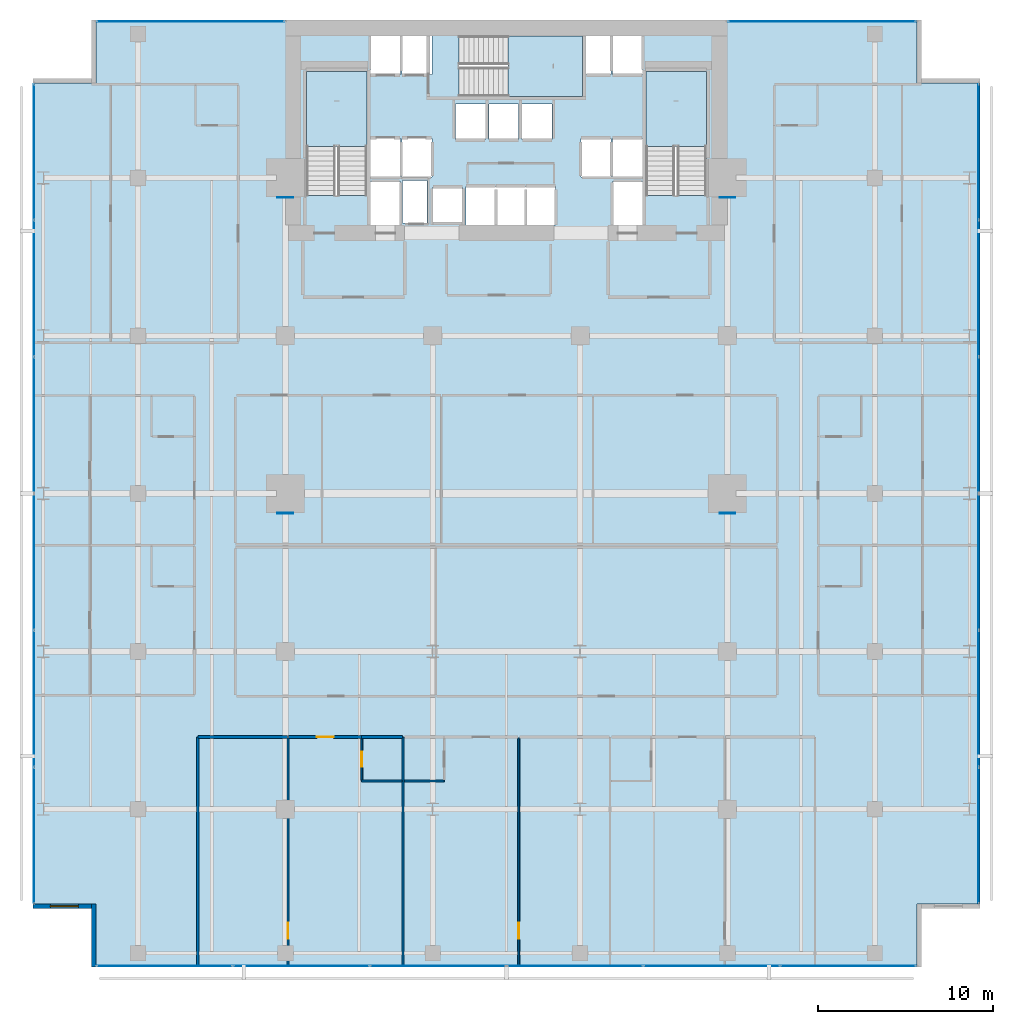
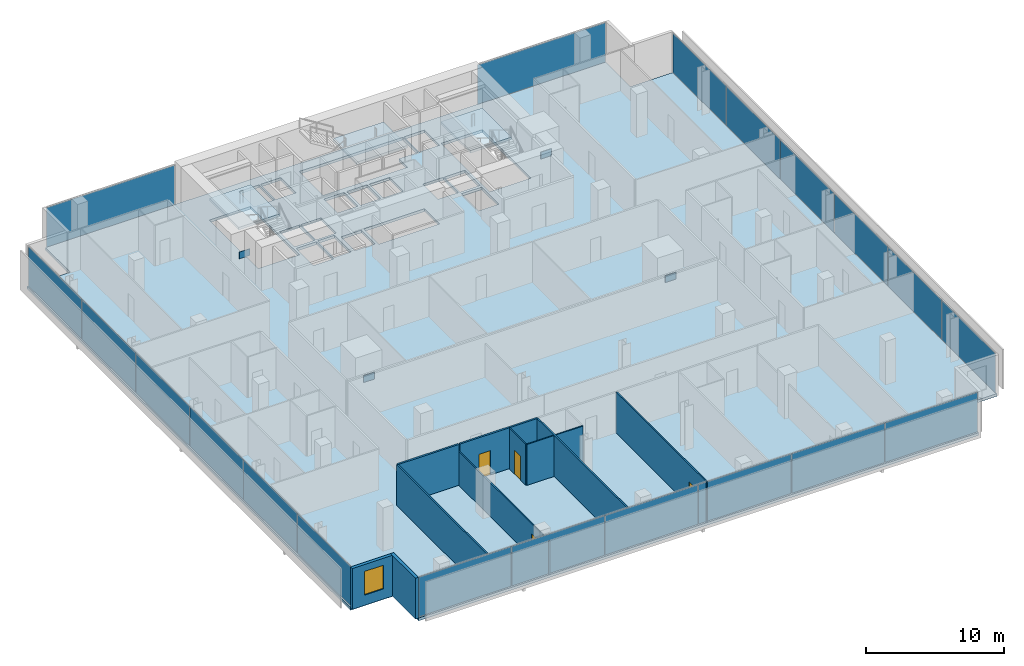
# One storey, part 32 of 39: 24 plates, 12 walls, 4 doors, 4 slabs, 1 window, 5 openings, 8 elements without a shape of their own.
"""IFC4 building model written with IfcOpenShell, lengths in metres."""

from ifc_helpers import new_model, si_unit, direction, frame, frame_2d, origin, origin_2d, place, context, subcontext, project, spatial, polyline, rectangle, outline, extrude, material, layer, layer_set, type_object, element, fill, aggregate, save


model = new_model("IFC4")

# Units and contexts
model_context = context("Model", 3, precision=1e-05, world=origin(), true_north=direction((0.0, 1.0)))
body_context = subcontext(model_context, "Body", "Model", "MODEL_VIEW")
ifc_project = project(units=[si_unit("LENGTHUNIT", "METRE"), si_unit("AREAUNIT", "SQUARE_METRE"), si_unit("VOLUMEUNIT", "CUBIC_METRE"), si_unit("PLANEANGLEUNIT", "RADIAN"), si_unit("MASSUNIT", "GRAM", prefix="KILO")], contexts=[model_context])

# Site, building, storey
site_placement = place(None, origin())
site = spatial("IfcSite", under=ifc_project, at=site_placement, CompositionType="ELEMENT")
building_placement = place(site_placement, origin())
building = spatial("IfcBuilding", under=site, at=building_placement, Name="Maruvema Waterfront Hotel and Observation Tower", CompositionType="ELEMENT")
storey_placement = place(building_placement, frame((0.0, 0.0, 65.449951171875)))
storey = spatial("IfcBuildingStorey", under=building, at=storey_placement, Name="L15", CompositionType="ELEMENT", Elevation=65.449951171875)

# Slab
ifc_material_1 = material(Name="Concrete C50/60", Category="concrete")
ifc_layer_1 = layer(ifc_material_1, 0.239990234375, Name="Reinforced Concrete Floor Slab 240 mm")
ifc_layer_set_1 = layer_set([ifc_layer_1], Name="Concrete C50/60")
slab_type_1 = type_object("IfcSlabType", Name="Reinforced Concrete Floor Slab 240 mm", PredefinedType="FLOOR", material=ifc_layer_set_1)
slab_1_placement = place(storey_placement, frame((0.0, 0.0, -0.239990234375)))
element("IfcSlab", 1, at=slab_1_placement, inside=storey, type_object=slab_type_1, Name="L15 Structural Floor Slab", PredefinedType="FLOOR", context=body_context, shape_type="SweptSolid", body=[
    extrude(outline(polyline([(14.39990234375, 0.0), (61.199951171875, 0.0), (61.199951171875, 3.60009765625), (64.800048828125, 3.60009765625), (64.800048828125, 50.39990234375), (61.199951171875, 50.39990234375), (61.199951171875, 54.0), (14.39990234375, 54.0), (14.39990234375, 50.39990234375), (10.800048828125, 50.39990234375), (10.800048828125, 3.60009765625), (14.39990234375, 3.60009765625), (14.39990234375, 0.0)]), holes=[polyline([(26.39990234375, 44.00048828125), (26.39990234375, 51.050048828125), (29.85009765625, 51.050048828125), (29.85009765625, 44.00048828125), (26.39990234375, 44.00048828125)]), polyline([(30.050048828125, 44.800048828125), (31.75, 44.800048828125), (31.75, 42.320068359375), (30.050048828125, 42.320068359375), (30.050048828125, 44.800048828125)]), polyline([(31.75, 47.25), (31.75, 45.050048828125), (30.050048828125, 45.050048828125), (30.050048828125, 47.25), (31.75, 47.25)]), polyline([(31.75, 53.10009765625), (31.75, 50.89990234375), (30.050048828125, 50.89990234375), (30.050048828125, 53.10009765625), (31.75, 53.10009765625)]), polyline([(33.280029296875, 44.860107421875), (33.280029296875, 42.43994140625), (31.8798828125, 42.43994140625), (31.8798828125, 44.860107421875), (33.280029296875, 44.860107421875)]), polyline([(31.85009765625, 47.25), (33.550048828125, 47.25), (33.550048828125, 45.050048828125), (31.85009765625, 45.050048828125), (31.85009765625, 47.25)]), polyline([(31.85009765625, 53.10009765625), (33.550048828125, 53.10009765625), (33.550048828125, 50.89990234375), (31.85009765625, 50.89990234375), (31.85009765625, 53.10009765625)]), polyline([(33.60009765625, 44.449951171875), (35.300048828125, 44.449951171875), (35.300048828125, 42.449951171875), (33.60009765625, 42.449951171875), (33.60009765625, 44.449951171875)]), polyline([(34.89990234375, 49.199951171875), (36.60009765625, 49.199951171875), (36.60009765625, 47.199951171875), (34.89990234375, 47.199951171875), (34.89990234375, 49.199951171875)]), polyline([(38.5, 49.199951171875), (38.5, 47.199951171875), (36.800048828125, 47.199951171875), (36.800048828125, 49.199951171875), (38.5, 49.199951171875)]), polyline([(35.5, 44.5), (40.60009765625, 44.5), (40.60009765625, 42.300048828125), (35.5, 42.300048828125), (35.5, 44.5)]), polyline([(43.75, 50.89990234375), (42.14990234375, 50.89990234375), (42.14990234375, 49.64990234375), (35.1005859375, 49.64990234375), (35.1005859375, 53.10009765625), (43.75, 53.10009765625), (43.75, 50.89990234375)]), polyline([(40.39990234375, 49.199951171875), (40.39990234375, 47.199951171875), (38.699951171875, 47.199951171875), (38.699951171875, 49.199951171875), (40.39990234375, 49.199951171875)]), polyline([(43.75, 47.25), (43.75, 45.050048828125), (42.050048828125, 45.050048828125), (42.050048828125, 47.25), (43.75, 47.25)]), polyline([(45.550048828125, 44.800048828125), (45.550048828125, 42.320068359375), (43.85009765625, 42.320068359375), (43.85009765625, 44.800048828125), (45.550048828125, 44.800048828125)]), polyline([(43.85009765625, 47.25), (45.550048828125, 47.25), (45.550048828125, 45.050048828125), (43.85009765625, 45.050048828125), (43.85009765625, 47.25)]), polyline([(45.550048828125, 53.10009765625), (45.550048828125, 50.89990234375), (43.85009765625, 50.89990234375), (43.85009765625, 53.10009765625), (45.550048828125, 53.10009765625)]), polyline([(45.75, 51.050048828125), (49.199951171875, 51.050048828125), (49.199951171875, 44.00048828125), (45.75, 44.00048828125), (45.75, 51.050048828125)])]), origin(), (0.0, 0.0, 1.0), 0.239990234375),
])

# Curtain wall, plates
ifc_material_2 = material(Name="Anodised bronze aluminium and solar-control low-E IGU", Category="aluminium")
ifc_layer_2 = layer(ifc_material_2, 0.159912109375, Name="Zone 1 Bronze Inner Thermal Curtain Wall System CW-02")
ifc_layer_set_2 = layer_set([ifc_layer_2], Name="Anodised bronze aluminium and solar-control low-E IGU")
curtain_wall_type = type_object("IfcCurtainWallType", Name="Zone 1 Bronze Inner Thermal Curtain Wall System CW-02", PredefinedType="USERDEFINED", material=ifc_layer_set_2)
curtain_wall_1_placement = place(storey_placement, origin())
curtain_wall_1 = element("IfcCurtainWall", 2, at=curtain_wall_1_placement, inside=storey, type_object=curtain_wall_type, Name="L15 Curtain Wall CW-L15-S", ObjectType="UNITISED CURTAIN WALL", PredefinedType="USERDEFINED")
ifc_material_3 = material(Name="Laminated low-E solar-control double glazing", Category="glass")
ifc_layer_3 = layer(ifc_material_3, 0.035888671875, Name="Solar Control Double-Glazed Curtain Panel 36 mm")
ifc_layer_set_3 = layer_set([ifc_layer_3], Name="Laminated low-E solar-control double glazing")
plate_type_1 = type_object("IfcPlateType", Name="Solar Control Double-Glazed Curtain Panel 36 mm", PredefinedType="CURTAIN_PANEL", material=ifc_layer_set_3)
plate_1_placement = place(storey_placement, frame((18.31494140625, 0.080078125, 0.06005859375), z_axis=(0.0, 0.0, 1.0), x_axis=(1.0, 0.0, 0.0)))
plate_1 = element("IfcPlate", 3, at=plate_1_placement, type_object=plate_type_1, Name="CW-02 panel 1.1", PredefinedType="CURTAIN_PANEL", context=body_context, shape_type="SweptSolid", body=[
    extrude(rectangle(XDim=7.7099609375, YDim=0.028076171875, at=origin_2d()), origin(), (0.0, 0.0, 1.0), 3.489990234375),
])
plate_2_placement = place(storey_placement, frame((26.10009765625, 0.080078125, 0.06005859375), z_axis=(0.0, 0.0, 1.0), x_axis=(1.0, 0.0, 0.0)))
plate_2 = element("IfcPlate", 4, at=plate_2_placement, type_object=plate_type_1, Name="CW-02 panel 2.1", PredefinedType="CURTAIN_PANEL", context=body_context, shape_type="SweptSolid", body=[
    extrude(rectangle(XDim=7.739990234375, YDim=0.028076171875, at=origin_2d()), origin(), (0.0, 0.0, 1.0), 3.489990234375),
])
plate_3_placement = place(storey_placement, frame((33.89990234375, 0.080078125, 0.06005859375), z_axis=(0.0, 0.0, 1.0), x_axis=(1.0, 0.0, 0.0)))
plate_3 = element("IfcPlate", 5, at=plate_3_placement, type_object=plate_type_1, Name="CW-02 panel 3.1", PredefinedType="CURTAIN_PANEL", context=body_context, shape_type="SweptSolid", body=[
    extrude(rectangle(XDim=7.739990234375, YDim=0.028076171875, at=origin_2d()), origin(), (0.0, 0.0, 1.0), 3.489990234375),
])
plate_4_placement = place(storey_placement, frame((41.699951171875, 0.080078125, 0.06005859375), z_axis=(0.0, 0.0, 1.0), x_axis=(1.0, 0.0, 0.0)))
plate_4 = element("IfcPlate", 6, at=plate_4_placement, type_object=plate_type_1, Name="CW-02 panel 4.1", PredefinedType="CURTAIN_PANEL", context=body_context, shape_type="SweptSolid", body=[
    extrude(rectangle(XDim=7.739990234375, YDim=0.028076171875, at=origin_2d()), origin(), (0.0, 0.0, 1.0), 3.489990234375),
])
plate_5_placement = place(storey_placement, frame((49.5, 0.080078125, 0.06005859375), z_axis=(0.0, 0.0, 1.0), x_axis=(1.0, 0.0, 0.0)))
plate_5 = element("IfcPlate", 7, at=plate_5_placement, type_object=plate_type_1, Name="CW-02 panel 5.1", PredefinedType="CURTAIN_PANEL", context=body_context, shape_type="SweptSolid", body=[
    extrude(rectangle(XDim=7.739990234375, YDim=0.028076171875, at=origin_2d()), origin(), (0.0, 0.0, 1.0), 3.489990234375),
])
plate_6_placement = place(storey_placement, frame((57.284912109375, 0.080078125, 0.06005859375), z_axis=(0.0, 0.0, 1.0), x_axis=(1.0, 0.0, 0.0)))
plate_6 = element("IfcPlate", 8, at=plate_6_placement, type_object=plate_type_1, Name="CW-02 panel 6.1", PredefinedType="CURTAIN_PANEL", context=body_context, shape_type="SweptSolid", body=[
    extrude(rectangle(XDim=7.7099609375, YDim=0.028076171875, at=origin_2d()), origin(), (0.0, 0.0, 1.0), 3.489990234375),
])
aggregate(curtain_wall_1, [plate_1, plate_2, plate_3, plate_4, plate_5, plate_6])

curtain_wall_2_placement = place(storey_placement, origin())
curtain_wall_2 = element("IfcCurtainWall", 9, at=curtain_wall_2_placement, inside=storey, type_object=curtain_wall_type, Name="L15 Curtain Wall CW-L15-E", ObjectType="UNITISED CURTAIN WALL", PredefinedType="USERDEFINED")
plate_7_placement = place(storey_placement, frame((64.719970703125, 7.514892578125, 0.06005859375), z_axis=(0.0, 0.0, 1.0), x_axis=(0.0, 1.0, 0.0)))
plate_7 = element("IfcPlate", 10, at=plate_7_placement, type_object=plate_type_1, Name="CW-02 panel 1.1", PredefinedType="CURTAIN_PANEL", context=body_context, shape_type="SweptSolid", body=[
    extrude(rectangle(XDim=7.7099609375, YDim=0.028076171875, at=origin_2d()), origin(), (0.0, 0.0, 1.0), 3.489990234375),
])
plate_8_placement = place(storey_placement, frame((64.719970703125, 15.300048828125, 0.06005859375), z_axis=(0.0, 0.0, 1.0), x_axis=(0.0, 1.0, 0.0)))
plate_8 = element("IfcPlate", 11, at=plate_8_placement, type_object=plate_type_1, Name="CW-02 panel 2.1", PredefinedType="CURTAIN_PANEL", context=body_context, shape_type="SweptSolid", body=[
    extrude(rectangle(XDim=7.739990234375, YDim=0.028076171875, at=origin_2d()), origin(), (0.0, 0.0, 1.0), 3.489990234375),
])
plate_9_placement = place(storey_placement, frame((64.719970703125, 23.10009765625, 0.06005859375), z_axis=(0.0, 0.0, 1.0), x_axis=(0.0, 1.0, 0.0)))
plate_9 = element("IfcPlate", 12, at=plate_9_placement, type_object=plate_type_1, Name="CW-02 panel 3.1", PredefinedType="CURTAIN_PANEL", context=body_context, shape_type="SweptSolid", body=[
    extrude(rectangle(XDim=7.739990234375, YDim=0.028076171875, at=origin_2d()), origin(), (0.0, 0.0, 1.0), 3.489990234375),
])
plate_10_placement = place(storey_placement, frame((64.719970703125, 30.89990234375, 0.06005859375), z_axis=(0.0, 0.0, 1.0), x_axis=(0.0, 1.0, 0.0)))
plate_10 = element("IfcPlate", 13, at=plate_10_placement, type_object=plate_type_1, Name="CW-02 panel 4.1", PredefinedType="CURTAIN_PANEL", context=body_context, shape_type="SweptSolid", body=[
    extrude(rectangle(XDim=7.739990234375, YDim=0.028076171875, at=origin_2d()), origin(), (0.0, 0.0, 1.0), 3.489990234375),
])
plate_11_placement = place(storey_placement, frame((64.719970703125, 38.699951171875, 0.06005859375), z_axis=(0.0, 0.0, 1.0), x_axis=(0.0, 1.0, 0.0)))
plate_11 = element("IfcPlate", 14, at=plate_11_placement, type_object=plate_type_1, Name="CW-02 panel 5.1", PredefinedType="CURTAIN_PANEL", context=body_context, shape_type="SweptSolid", body=[
    extrude(rectangle(XDim=7.739990234375, YDim=0.028076171875, at=origin_2d()), origin(), (0.0, 0.0, 1.0), 3.489990234375),
])
plate_12_placement = place(storey_placement, frame((64.719970703125, 46.485107421875, 0.06005859375), z_axis=(0.0, 0.0, 1.0), x_axis=(0.0, 1.0, 0.0)))
plate_12 = element("IfcPlate", 15, at=plate_12_placement, type_object=plate_type_1, Name="CW-02 panel 6.1", PredefinedType="CURTAIN_PANEL", context=body_context, shape_type="SweptSolid", body=[
    extrude(rectangle(XDim=7.7099609375, YDim=0.028076171875, at=origin_2d()), origin(), (0.0, 0.0, 1.0), 3.489990234375),
])
aggregate(curtain_wall_2, [plate_7, plate_8, plate_9, plate_10, plate_11, plate_12])

curtain_wall_3_placement = place(storey_placement, origin())
curtain_wall_3 = element("IfcCurtainWall", 16, at=curtain_wall_3_placement, inside=storey, type_object=curtain_wall_type, Name="L15 Curtain Wall CW-L15-W", ObjectType="UNITISED CURTAIN WALL", PredefinedType="USERDEFINED")
plate_13_placement = place(storey_placement, frame((10.8798828125, 46.485107421875, 0.06005859375), z_axis=(0.0, 0.0, 1.0), x_axis=(0.0, -1.0, 0.0)))
plate_13 = element("IfcPlate", 17, at=plate_13_placement, type_object=plate_type_1, Name="CW-02 panel 1.1", PredefinedType="CURTAIN_PANEL", context=body_context, shape_type="SweptSolid", body=[
    extrude(rectangle(XDim=7.7099609375, YDim=0.028076171875, at=origin_2d()), origin(), (0.0, 0.0, 1.0), 3.489990234375),
])
plate_14_placement = place(storey_placement, frame((10.8798828125, 38.699951171875, 0.06005859375), z_axis=(0.0, 0.0, 1.0), x_axis=(0.0, -1.0, 0.0)))
plate_14 = element("IfcPlate", 18, at=plate_14_placement, type_object=plate_type_1, Name="CW-02 panel 2.1", PredefinedType="CURTAIN_PANEL", context=body_context, shape_type="SweptSolid", body=[
    extrude(rectangle(XDim=7.739990234375, YDim=0.028076171875, at=origin_2d()), origin(), (0.0, 0.0, 1.0), 3.489990234375),
])
plate_15_placement = place(storey_placement, frame((10.8798828125, 30.89990234375, 0.06005859375), z_axis=(0.0, 0.0, 1.0), x_axis=(0.0, -1.0, 0.0)))
plate_15 = element("IfcPlate", 19, at=plate_15_placement, type_object=plate_type_1, Name="CW-02 panel 3.1", PredefinedType="CURTAIN_PANEL", context=body_context, shape_type="SweptSolid", body=[
    extrude(rectangle(XDim=7.739990234375, YDim=0.028076171875, at=origin_2d()), origin(), (0.0, 0.0, 1.0), 3.489990234375),
])
plate_16_placement = place(storey_placement, frame((10.8798828125, 23.10009765625, 0.06005859375), z_axis=(0.0, 0.0, 1.0), x_axis=(0.0, -1.0, 0.0)))
plate_16 = element("IfcPlate", 20, at=plate_16_placement, type_object=plate_type_1, Name="CW-02 panel 4.1", PredefinedType="CURTAIN_PANEL", context=body_context, shape_type="SweptSolid", body=[
    extrude(rectangle(XDim=7.739990234375, YDim=0.028076171875, at=origin_2d()), origin(), (0.0, 0.0, 1.0), 3.489990234375),
])
plate_17_placement = place(storey_placement, frame((10.8798828125, 15.300048828125, 0.06005859375), z_axis=(0.0, 0.0, 1.0), x_axis=(0.0, -1.0, 0.0)))
plate_17 = element("IfcPlate", 21, at=plate_17_placement, type_object=plate_type_1, Name="CW-02 panel 5.1", PredefinedType="CURTAIN_PANEL", context=body_context, shape_type="SweptSolid", body=[
    extrude(rectangle(XDim=7.739990234375, YDim=0.028076171875, at=origin_2d()), origin(), (0.0, 0.0, 1.0), 3.489990234375),
])
plate_18_placement = place(storey_placement, frame((10.8798828125, 7.514892578125, 0.06005859375), z_axis=(0.0, 0.0, 1.0), x_axis=(0.0, -1.0, 0.0)))
plate_18 = element("IfcPlate", 22, at=plate_18_placement, type_object=plate_type_1, Name="CW-02 panel 6.1", PredefinedType="CURTAIN_PANEL", context=body_context, shape_type="SweptSolid", body=[
    extrude(rectangle(XDim=7.7099609375, YDim=0.028076171875, at=origin_2d()), origin(), (0.0, 0.0, 1.0), 3.489990234375),
])
aggregate(curtain_wall_3, [plate_13, plate_14, plate_15, plate_16, plate_17, plate_18])

# Curtain wall, plate
curtain_wall_4_placement = place(storey_placement, origin())
curtain_wall_4 = element("IfcCurtainWall", 23, at=curtain_wall_4_placement, inside=storey, type_object=curtain_wall_type, Name="L15 Curtain Wall CW-L15-NW", ObjectType="UNITISED CURTAIN WALL", PredefinedType="USERDEFINED")
plate_19_placement = place(storey_placement, frame((19.800048828125, 53.919921875, 0.06005859375), z_axis=(0.0, 0.0, 1.0), x_axis=(-1.0, 0.0, 0.0)))
plate_19 = element("IfcPlate", 24, at=plate_19_placement, type_object=plate_type_1, Name="CW-02 panel 1.1", PredefinedType="CURTAIN_PANEL", context=body_context, shape_type="SweptSolid", body=[
    extrude(rectangle(XDim=10.679931640625, YDim=0.028076171875, at=origin_2d()), origin(), (0.0, 0.0, 1.0), 3.489990234375),
])
aggregate(curtain_wall_4, [plate_19])

curtain_wall_5_placement = place(storey_placement, origin())
curtain_wall_5 = element("IfcCurtainWall", 25, at=curtain_wall_5_placement, inside=storey, type_object=curtain_wall_type, Name="L15 Curtain Wall CW-L15-NE", ObjectType="UNITISED CURTAIN WALL", PredefinedType="USERDEFINED")
plate_20_placement = place(storey_placement, frame((55.800048828125, 53.919921875, 0.06005859375), z_axis=(0.0, 0.0, 1.0), x_axis=(-1.0, 0.0, 0.0)))
plate_20 = element("IfcPlate", 26, at=plate_20_placement, type_object=plate_type_1, Name="CW-02 panel 1.1", PredefinedType="CURTAIN_PANEL", context=body_context, shape_type="SweptSolid", body=[
    extrude(rectangle(XDim=10.679931640625, YDim=0.028076171875, at=origin_2d()), origin(), (0.0, 0.0, 1.0), 3.489990234375),
])
aggregate(curtain_wall_5, [plate_20])

# Stair, slab
ifc_material_4 = material(Name="Concrete C50/60", Category="concrete")
stair_type = type_object("IfcStairType", Name="Dogleg Exit Stair 1650 mm (22R x 175.0 mm)", PredefinedType="HALF_TURN_STAIR", material=ifc_material_4)
stair_1_placement = place(storey_placement, origin())
stair_1 = element("IfcStair", 27, at=stair_1_placement, inside=storey, type_object=stair_type, Name="L15 ST-01", PredefinedType="HALF_TURN_STAIR")
ifc_material_5 = material(Name="Concrete C50/60", Category="concrete")
ifc_layer_4 = layer(ifc_material_5, 0.219970703125, Name="Stair Concrete Landing Slab 220 mm")
ifc_layer_set_4 = layer_set([ifc_layer_4], Name="Concrete C50/60")
slab_type_2 = type_object("IfcSlabType", Name="Stair Concrete Landing Slab 220 mm", PredefinedType="LANDING", material=ifc_layer_set_4)
slab_2_placement = place(storey_placement, frame((0.0, 0.0, 1.705078125)))
slab_2 = element("IfcSlab", 28, at=slab_2_placement, type_object=slab_type_2, Name="ST-01 landing 1", PredefinedType="LANDING", context=body_context, shape_type="SweptSolid", body=[
    extrude(outline(polyline([(29.85009765625, 46.800048828125), (29.85009765625, 51.050048828125), (26.39990234375, 51.050048828125), (26.39990234375, 46.800048828125), (29.85009765625, 46.800048828125)])), origin(), (0.0, 0.0, 1.0), 0.219970703125),
])
aggregate(stair_1, [slab_2])

stair_2_placement = place(storey_placement, origin())
stair_2 = element("IfcStair", 29, at=stair_2_placement, inside=storey, type_object=stair_type, Name="L15 ST-02", PredefinedType="HALF_TURN_STAIR")
slab_3_placement = place(storey_placement, frame((0.0, 0.0, 1.705078125)))
slab_3 = element("IfcSlab", 30, at=slab_3_placement, type_object=slab_type_2, Name="ST-02 landing 1", PredefinedType="LANDING", context=body_context, shape_type="SweptSolid", body=[
    extrude(outline(polyline([(37.89990234375, 49.64990234375), (42.14990234375, 49.64990234375), (42.14990234375, 53.10009765625), (37.89990234375, 53.10009765625), (37.89990234375, 49.64990234375)])), origin(), (0.0, 0.0, 1.0), 0.219970703125),
])
aggregate(stair_2, [slab_3])

stair_3_placement = place(storey_placement, origin())
stair_3 = element("IfcStair", 31, at=stair_3_placement, inside=storey, type_object=stair_type, Name="L15 ST-03", PredefinedType="HALF_TURN_STAIR")
slab_4_placement = place(storey_placement, frame((0.0, 0.0, 1.705078125)))
slab_4 = element("IfcSlab", 32, at=slab_4_placement, type_object=slab_type_2, Name="ST-03 landing 1", PredefinedType="LANDING", context=body_context, shape_type="SweptSolid", body=[
    extrude(outline(polyline([(49.199951171875, 46.800048828125), (49.199951171875, 51.050048828125), (45.75, 51.050048828125), (45.75, 46.800048828125), (49.199951171875, 46.800048828125)])), origin(), (0.0, 0.0, 1.0), 0.219970703125),
])
aggregate(stair_3, [slab_4])

# Plates
ifc_material_6 = material(Name="Steel ABNT NBR 7007 AR 415 (ASTM A572 Grade 50)", Category="steel")
ifc_layer_5 = layer(ifc_material_6, 0.0400390625, Name="Structural Truss Node Gusset Plate 40 mm")
ifc_layer_set_5 = layer_set([ifc_layer_5], Name="Steel ABNT NBR 7007 AR 415 (ASTM A572 Grade 50)")
plate_type_2 = type_object("IfcPlateType", Name="Structural Truss Node Gusset Plate 40 mm", PredefinedType="USERDEFINED", material=ifc_layer_set_5)
for number, where, z_axis, x_axis, name in (
    (33, (25.199951171875, 25.8798828125, 1.5), (0.0, 0.0, 1.0), (1.0, 0.0, 0.0), "L15 MC-01 Moment Frame Continuity Gusset Plate"),
    (34, (50.39990234375, 25.8798828125, 1.5), (0.0, 0.0, 1.0), (1.0, 0.0, 0.0), "L15 MC-02 Moment Frame Continuity Gusset Plate"),
    (35, (25.199951171875, 43.8798828125, 1.5), (0.0, 0.0, 1.0), (1.0, 0.0, 0.0), "L15 MC-03 Moment Frame Continuity Gusset Plate"),
    (36, (50.39990234375, 43.8798828125, 1.5), (0.0, 0.0, 1.0), (1.0, 0.0, 0.0), "L15 MC-04 Moment Frame Continuity Gusset Plate"),
):
    element("IfcPlate", number, at=place(storey_placement, frame(where, z_axis=z_axis, x_axis=x_axis)), inside=storey, type_object=plate_type_2, Name=name, ObjectType="GUSSET_PLATE", PredefinedType="USERDEFINED", context=body_context, shape_type="SweptSolid", body=[
        extrude(rectangle(XDim=0.89990234375, YDim=0.0400390625, at=origin_2d()), origin(), (0.0, 0.0, 1.0), 0.60009765625),
    ])

# Walls
ifc_material_7 = material(Name="Twin-stud acoustic gypsum drywall", Category="gypsum")
ifc_layer_6 = layer(ifc_material_7, 0.14990234375, Name="Acoustic Corridor and Suite Demising Wall 150 mm")
ifc_layer_set_6 = layer_set([ifc_layer_6], Name="Twin-stud acoustic gypsum drywall")
wall_type_1 = type_object("IfcWallType", Name="Acoustic Corridor and Suite Demising Wall 150 mm", PredefinedType="PARTITIONING", material=ifc_layer_set_6)
wall_1_placement = place(storey_placement, frame((29.550048828125, 13.1201171875, 0.0), z_axis=(0.0, 0.0, 1.0), x_axis=(1.0, 0.0, 0.0)))
element("IfcWall", 37, at=wall_1_placement, inside=storey, type_object=wall_type_1, Name="L15 Bath L15-S1 Back Wall 034", PredefinedType="PARTITIONING", context=body_context, shape_type="SweptSolid", body=[
    extrude(rectangle(XDim=2.329833984375, YDim=0.14990234375, at=frame_2d((1.1650390625, 0.0))), origin(), (0.0, 0.0, 1.0), 3.610107421875),
])
wall_2_placement = place(storey_placement, frame((20.219970703125, 13.1201171875, 0.0), z_axis=(0.0, 0.0, 1.0), x_axis=(1.0, 0.0, 0.0)))
element("IfcWall", 38, at=wall_2_placement, inside=storey, type_object=wall_type_1, Name="L15 Bedroom L15-S1 Back Wall 037", PredefinedType="PARTITIONING", context=body_context, shape_type="SweptSolid", body=[
    extrude(rectangle(XDim=5.088134765625, YDim=0.14990234375, at=frame_2d((2.5439453125, 0.0))), origin(), (0.0, 0.0, 1.0), 3.610107421875),
])

# Wall, opening, door
wall_3_placement = place(storey_placement, frame((25.387939453125, 13.1201171875, 0.0), z_axis=(0.0, 0.0, 1.0), x_axis=(1.0, 0.0, 0.0)))
wall_3 = element("IfcWall", 39, at=wall_3_placement, inside=storey, type_object=wall_type_1, Name="L15 Unit L15-S1 Corridor Wall 038", PredefinedType="PARTITIONING", context=body_context, shape_type="SweptSolid", body=[
    extrude(rectangle(XDim=4.162109375, YDim=0.14990234375, at=frame_2d((2.0810546875, 0.0))), origin(), (0.0, 0.0, 1.0), 3.610107421875),
])
opening_1_placement = place(wall_3_placement, frame((1.60595703125, 0.0, 0.0)))
opening_1 = element("IfcOpeningElement", 40, at=opening_1_placement, cuts=wall_3, Name="Opening DR-095", PredefinedType="OPENING", context=body_context, shape_type="SweptSolid", body=[
    extrude(rectangle(XDim=0.949951171875, YDim=2.14990234375, at=frame_2d((0.47509765625, 1.074951171875))), frame((0.0, 0.0849609375, 0.0), z_axis=(0.0, -1.0, 0.0), x_axis=(1.0, 0.0, 0.0)), (0.0, 0.0, 1.0), 0.169921875),
])
ifc_material_8 = material(Name="Acoustic solid-core hardwood timber leaf", Category="wood")
door_type_1 = type_object("IfcDoorType", Name="Guestroom Entrance Fire Door 950x2150 mm", OperationType="NOTDEFINED", PredefinedType="DOOR", material=ifc_material_8)
door_1_placement = place(opening_1_placement, frame((0.949951171875, 0.0, 0.0), z_axis=(0.0, 0.0, 1.0), x_axis=(-1.0, 0.0, 0.0)))
door_1 = element("IfcDoor", 41, at=door_1_placement, inside=storey, type_object=door_type_1, Name="L15 Unit L15-S1 Entrance Door", OperationType="SINGLE_SWING_LEFT", OverallHeight=2.14990234375, OverallWidth=0.949951171875, PredefinedType="DOOR", context=body_context, shape_type="SweptSolid", body=[
    extrude(rectangle(XDim=0.949951171875, YDim=2.14990234375, at=frame_2d((0.47509765625, 1.074951171875))), frame((0.0, 0.02490234375, 0.0), z_axis=(0.0, -1.0, 0.0), x_axis=(1.0, 0.0, 0.0)), (0.0, 0.0, 1.0), 0.050048828125),
])
fill(opening_1, door_1)

# Wall
ifc_material_9 = material(Name="Moisture-resistant cement-board drywall", Category="gypsum")
ifc_layer_7 = layer(ifc_material_9, 0.10009765625, Name="En-Suite Moisture-Resistant Partition 100 mm")
ifc_layer_set_7 = layer_set([ifc_layer_7], Name="Moisture-resistant cement-board drywall")
wall_type_2 = type_object("IfcWallType", Name="En-Suite Moisture-Resistant Partition 100 mm", PredefinedType="PARTITIONING", material=ifc_layer_set_7)
wall_4_placement = place(storey_placement, frame((29.550048828125, 10.6201171875, 0.0), z_axis=(0.0, 0.0, 1.0), x_axis=(1.0, 0.0, 0.0)))
element("IfcWall", 42, at=wall_4_placement, inside=storey, type_object=wall_type_2, Name="L15 En-Suite L15-S1 South 035", PredefinedType="PARTITIONING", context=body_context, shape_type="SweptSolid", body=[
    extrude(rectangle(XDim=2.31005859375, YDim=0.10009765625, at=frame_2d((1.155029296875, 0.0))), origin(), (0.0, 0.0, 1.0), 3.610107421875),
])

# Wall, opening, door
wall_5_placement = place(storey_placement, frame((29.550048828125, 10.679931640625, 0.0), z_axis=(0.0, 0.0, 1.0), x_axis=(0.0, 1.0, 0.0)))
wall_5 = element("IfcWall", 43, at=wall_5_placement, inside=storey, type_object=wall_type_2, Name="L15 En-Suite L15-S1 West 036", PredefinedType="PARTITIONING", context=body_context, shape_type="SweptSolid", body=[
    extrude(rectangle(XDim=2.340087890625, YDim=0.10009765625, at=frame_2d((1.169921875, 0.0))), origin(), (0.0, 0.0, 1.0), 3.610107421875),
])
opening_2_placement = place(wall_5_placement, frame((0.7451171875, 0.0, 0.0)))
opening_2 = element("IfcOpeningElement", 44, at=opening_2_placement, cuts=wall_5, Name="Opening DR-085", PredefinedType="OPENING", context=body_context, shape_type="SweptSolid", body=[
    extrude(rectangle(XDim=0.85009765625, YDim=2.10009765625, at=frame_2d((0.425048828125, 1.050048828125))), frame((0.0, 0.06005859375, 0.0), z_axis=(0.0, -1.0, 0.0), x_axis=(1.0, 0.0, 0.0)), (0.0, 0.0, 1.0), 0.1201171875),
])
ifc_material_10 = material(Name="Moisture-resistant solid timber leaf", Category="wood")
door_type_2 = type_object("IfcDoorType", Name="En-Suite Bathroom Door 850x2100 mm", OperationType="NOTDEFINED", PredefinedType="DOOR", material=ifc_material_10)
door_2_placement = place(opening_2_placement, origin())
door_2 = element("IfcDoor", 45, at=door_2_placement, inside=storey, type_object=door_type_2, Name="L15 En-Suite L15-S1 Door", OperationType="SINGLE_SWING_RIGHT", OverallHeight=2.10009765625, OverallWidth=0.85009765625, PredefinedType="DOOR", context=body_context, shape_type="SweptSolid", body=[
    extrude(rectangle(XDim=0.85009765625, YDim=2.10009765625, at=frame_2d((0.425048828125, 1.050048828125))), frame((0.0, 0.02490234375, 0.0), z_axis=(0.0, -1.0, 0.0), x_axis=(1.0, 0.0, 0.0)), (0.0, 0.0, 1.0), 0.050048828125),
])
fill(opening_2, door_2)

wall_6_placement = place(storey_placement, frame((25.347900390625, 0.030029296875, 0.0), z_axis=(0.0, 0.0, 1.0), x_axis=(0.0, 1.0, 0.0)))
wall_6 = element("IfcWall", 46, at=wall_6_placement, inside=storey, type_object=wall_type_2, Name="L15 Suite L15-S1 Split 039", PredefinedType="PARTITIONING", context=body_context, shape_type="SweptSolid", body=[
    extrude(rectangle(XDim=13.030029296875, YDim=0.10009765625, at=frame_2d((6.51513671875, 0.0))), origin(), (0.0, 0.0, 1.0), 2.988037109375),
])
opening_3_placement = place(wall_6_placement, frame((1.60009765625, 0.0, 0.0)))
opening_3 = element("IfcOpeningElement", 47, at=opening_3_placement, cuts=wall_6, Name="Opening DR-090", PredefinedType="OPENING", context=body_context, shape_type="SweptSolid", body=[
    extrude(rectangle(XDim=0.89990234375, YDim=2.10009765625, at=frame_2d((0.449951171875, 1.050048828125))), frame((0.0, 0.06005859375, 0.0), z_axis=(0.0, -1.0, 0.0), x_axis=(1.0, 0.0, 0.0)), (0.0, 0.0, 1.0), 0.1201171875),
])
ifc_material_11 = material(Name="Solid-core lacquered timber leaf", Category="wood")
door_type_3 = type_object("IfcDoorType", Name="Accessible Toilet and Room Door 900x2100 mm", OperationType="NOTDEFINED", PredefinedType="DOOR", material=ifc_material_11)
door_3_placement = place(opening_3_placement, frame((0.89990234375, 0.0, 0.0), z_axis=(0.0, 0.0, 1.0), x_axis=(-1.0, 0.0, 0.0)))
door_3 = element("IfcDoor", 48, at=door_3_placement, inside=storey, type_object=door_type_3, Name="L15 Suite L15-S1 Bedroom Door", OperationType="SINGLE_SWING_RIGHT", OverallHeight=2.10009765625, OverallWidth=0.89990234375, PredefinedType="DOOR", context=body_context, shape_type="SweptSolid", body=[
    extrude(rectangle(XDim=0.89990234375, YDim=2.10009765625, at=frame_2d((0.449951171875, 1.050048828125))), frame((0.0, 0.02490234375, 0.0), z_axis=(0.0, -1.0, 0.0), x_axis=(1.0, 0.0, 0.0)), (0.0, 0.0, 1.0), 0.050048828125),
])
fill(opening_3, door_3)

# Wall
wall_7_placement = place(storey_placement, frame((31.97998046875, 10.6201171875, 0.0), z_axis=(0.0, 0.0, 1.0), x_axis=(1.0, 0.0, 0.0)))
element("IfcWall", 49, at=wall_7_placement, inside=storey, type_object=wall_type_2, Name="L15 En-Suite L15-S2 South 042", PredefinedType="PARTITIONING", context=body_context, shape_type="SweptSolid", body=[
    extrude(rectangle(XDim=2.27001953125, YDim=0.10009765625, at=frame_2d((1.135009765625, 0.0))), origin(), (0.0, 0.0, 1.0), 3.610107421875),
])

# Wall, opening, door
wall_8_placement = place(storey_placement, frame((38.508056640625, 0.030029296875, 0.0), z_axis=(0.0, 0.0, 1.0), x_axis=(0.0, 1.0, 0.0)))
wall_8 = element("IfcWall", 50, at=wall_8_placement, inside=storey, type_object=wall_type_2, Name="L15 Suite L15-S2 Split 046", PredefinedType="PARTITIONING", context=body_context, shape_type="SweptSolid", body=[
    extrude(rectangle(XDim=13.030029296875, YDim=0.10009765625, at=frame_2d((6.51513671875, 0.0))), origin(), (0.0, 0.0, 1.0), 3.610107421875),
])
opening_4_placement = place(wall_8_placement, frame((1.60009765625, 0.0, 0.0)))
opening_4 = element("IfcOpeningElement", 51, at=opening_4_placement, cuts=wall_8, Name="Opening DR-090", PredefinedType="OPENING", context=body_context, shape_type="SweptSolid", body=[
    extrude(rectangle(XDim=0.89990234375, YDim=2.10009765625, at=frame_2d((0.449951171875, 1.050048828125))), frame((0.0, 0.06005859375, 0.0), z_axis=(0.0, -1.0, 0.0), x_axis=(1.0, 0.0, 0.0)), (0.0, 0.0, 1.0), 0.1201171875),
])
door_4_placement = place(opening_4_placement, origin())
door_4 = element("IfcDoor", 52, at=door_4_placement, inside=storey, type_object=door_type_3, Name="L15 Suite L15-S2 Bedroom Door", OperationType="SINGLE_SWING_LEFT", OverallHeight=2.10009765625, OverallWidth=0.89990234375, PredefinedType="DOOR", context=body_context, shape_type="SweptSolid", body=[
    extrude(rectangle(XDim=0.89990234375, YDim=2.10009765625, at=frame_2d((0.449951171875, 1.050048828125))), frame((0.0, 0.02490234375, 0.0), z_axis=(0.0, -1.0, 0.0), x_axis=(1.0, 0.0, 0.0)), (0.0, 0.0, 1.0), 0.050048828125),
])
fill(opening_4, door_4)

# Wall
ifc_material_12 = material(Name="Precast concrete C45/55 with honed Pernambuco granite facing", Category="masonry")
ifc_layer_8 = layer(ifc_material_12, 0.260009765625, Name="Exterior Granite Clad Spandrel and Pier Wall 260 mm")
ifc_layer_set_8 = layer_set([ifc_layer_8], Name="Precast concrete C45/55 with honed Pernambuco granite facing")
wall_type_3 = type_object("IfcWallType", Name="Exterior Granite Clad Spandrel and Pier Wall 260 mm", PredefinedType="SOLIDWALL", material=ifc_layer_set_8)
wall_9_placement = place(storey_placement, frame((14.27001953125, 0.0, 0.0), z_axis=(0.0, 0.0, 1.0), x_axis=(0.0, 1.0, 0.0)))
element("IfcWall", 53, at=wall_9_placement, inside=storey, type_object=wall_type_3, Name="L15 Corner Notch Granite Pier Wall SW1", PredefinedType="SOLIDWALL", context=body_context, shape_type="SweptSolid", body=[
    extrude(rectangle(XDim=3.60009765625, YDim=0.260009765625, at=frame_2d((1.800048828125, 0.0))), origin(), (0.0, 0.0, 1.0), 3.610107421875),
])

# Wall, opening, window
wall_10_placement = place(storey_placement, frame((14.39990234375, 3.469970703125, 0.0), z_axis=(0.0, 0.0, 1.0), x_axis=(-1.0, 0.0, 0.0)))
wall_10 = element("IfcWall", 54, at=wall_10_placement, inside=storey, type_object=wall_type_3, Name="L15 Corner Notch Granite Pier Wall SW2", PredefinedType="SOLIDWALL", context=body_context, shape_type="SweptSolid", body=[
    extrude(rectangle(XDim=3.599853515625, YDim=0.260009765625, at=frame_2d((1.7998046875, 0.0))), origin(), (0.0, 0.0, 1.0), 3.610107421875),
])
opening_5_placement = place(wall_10_placement, frame((1.0, 0.0, 0.89990234375)))
opening_5 = element("IfcOpeningElement", 55, at=opening_5_placement, cuts=wall_10, Name="Opening WN-01", PredefinedType="OPENING", context=body_context, shape_type="SweptSolid", body=[
    extrude(rectangle(XDim=1.60009765625, YDim=2.10009765625, at=frame_2d((0.800048828125, 1.050048828125))), frame((0.0, 0.14013671875, 0.0), z_axis=(0.0, -1.0, 0.0), x_axis=(1.0, 0.0, 0.0)), (0.0, 0.0, 1.0), 0.280029296875),
])
ifc_material_13 = material(Name="Anodised bronze aluminium frame with laminated low-E glass", Category="aluminium")
window_type = type_object("IfcWindowType", Name="Corner Notch Feature Window 1600x2100 mm", PartitioningType="SINGLE_PANEL", PredefinedType="WINDOW", material=ifc_material_13)
window_placement = place(opening_5_placement, origin())
window = element("IfcWindow", 56, at=window_placement, inside=storey, type_object=window_type, Name="L15 Corner Notch Punched Window SW2", OverallHeight=2.10009765625, OverallWidth=1.60009765625, PartitioningType="SINGLE_PANEL", PredefinedType="WINDOW", context=body_context, shape_type="SweptSolid", body=[
    extrude(rectangle(XDim=1.60009765625, YDim=2.10009765625, at=frame_2d((0.800048828125, 1.050048828125))), frame((0.0, 0.030029296875, 0.0), z_axis=(0.0, -1.0, 0.0), x_axis=(1.0, 0.0, 0.0)), (0.0, 0.0, 1.0), 0.06005859375),
])
fill(opening_5, window)

# Walls
ifc_material_14 = material(Name="Acoustic gypsum plasterboard drywall", Category="gypsum")
ifc_layer_9 = layer(ifc_material_14, 0.125, Name="Guestroom Acoustic Demising Wall 125 mm")
ifc_layer_set_9 = layer_set([ifc_layer_9], Name="Acoustic gypsum plasterboard drywall")
wall_type_4 = type_object("IfcWallType", Name="Guestroom Acoustic Demising Wall 125 mm", PredefinedType="PARTITIONING", material=ifc_layer_set_9)
for number, where, z_axis, x_axis, name in (
    (57, (20.199951171875, 0.10009765625, 0.0), (0.0, 0.0, 1.0), (0.0, 1.0, 0.0), "L15 S West End 032"),
    (58, (31.89990234375, 0.10009765625, 0.0), (0.0, 0.0, 1.0), (0.0, 1.0, 0.0), "L15 S Demising 2 040"),
):
    element("IfcWall", number, at=place(storey_placement, frame(where, z_axis=z_axis, x_axis=x_axis)), inside=storey, type_object=wall_type_4, Name=name, PredefinedType="PARTITIONING", context=body_context, shape_type="SweptSolid", body=[
        extrude(rectangle(XDim=13.02001953125, YDim=0.125, at=frame_2d((6.510009765625, 0.0))), origin(), (0.0, 0.0, 1.0), 3.610107421875),
    ])

save(model, "model.ifc")
